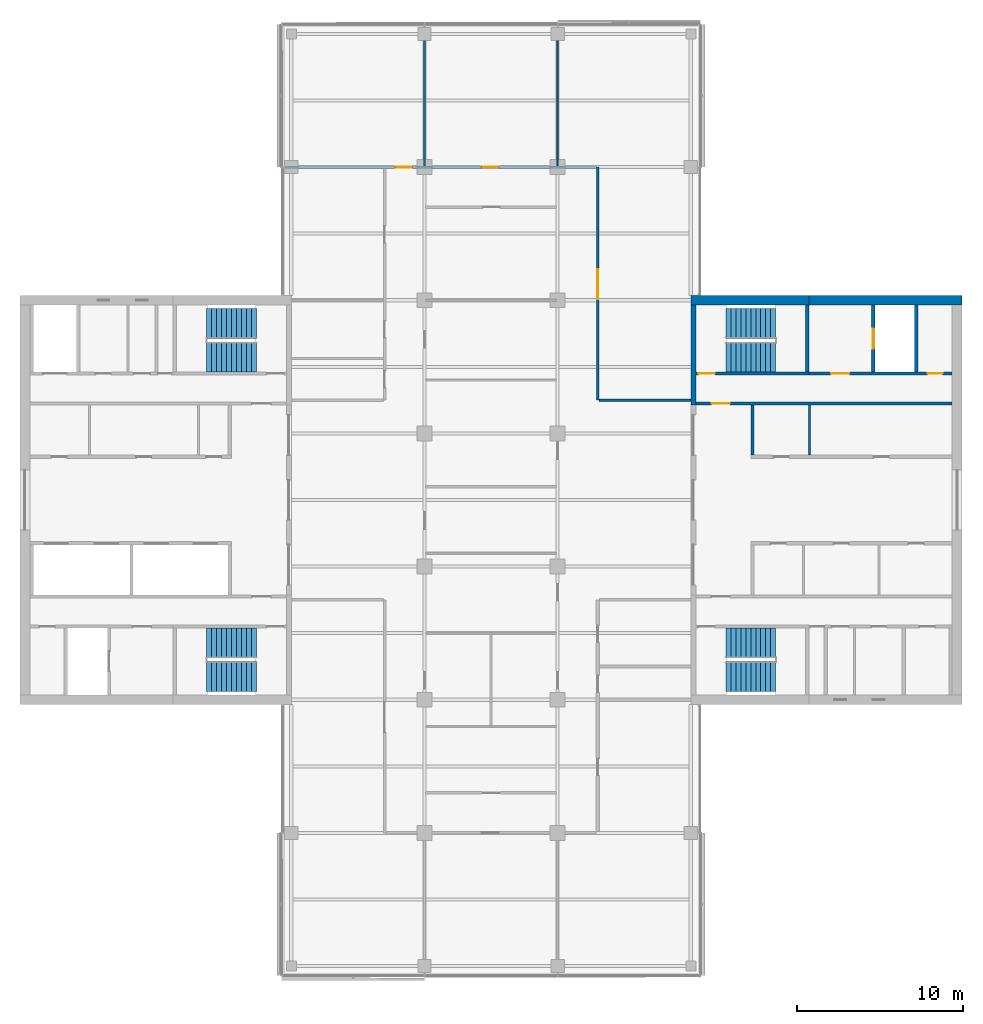
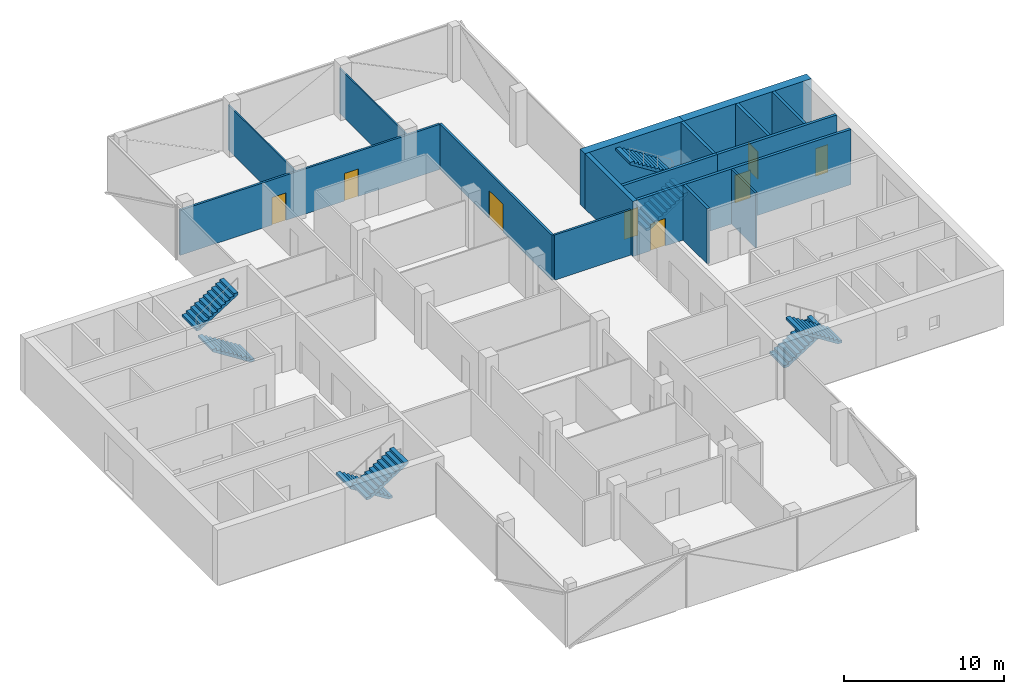
# One storey, part 12 of 15: 16 walls, 8 doors, 8 stair flights, 8 openings, 4 elements without a shape of their own.
"""IFC4 building model written with IfcOpenShell, lengths in metres."""

from ifc_helpers import new_model, si_unit, direction, frame, frame_2d, origin, place, context, subcontext, project, spatial, polyline, rectangle, outline, extrude, material, layer, layer_set, constituent, constituent_set, type_object, element, fill, aggregate, save


model = new_model("IFC4")

# Units and contexts
model_context = context("Model", 3, precision=1e-05, world=origin(), true_north=direction((0.0, 1.0)))
body_context = subcontext(model_context, "Body", "Model", "MODEL_VIEW")
ifc_project = project(units=[si_unit("LENGTHUNIT", "METRE"), si_unit("AREAUNIT", "SQUARE_METRE"), si_unit("VOLUMEUNIT", "CUBIC_METRE"), si_unit("PLANEANGLEUNIT", "RADIAN"), si_unit("MASSUNIT", "GRAM", prefix="KILO")], contexts=[model_context])

# Site, building, storey
site_placement = place(None, origin())
site = spatial("IfcSite", under=ifc_project, at=site_placement, CompositionType="ELEMENT")
building_placement = place(site_placement, origin())
building = spatial("IfcBuilding", under=site, at=building_placement, Name="Crosswind Convention Tower", CompositionType="ELEMENT")
storey_placement = place(building_placement, frame((0.0, 0.0, 183.10009765625)))
storey = spatial("IfcBuildingStorey", under=building, at=storey_placement, Name="L38", CompositionType="ELEMENT", Elevation=183.10009765625)

# Walls
ifc_material_1 = material(Name="Concrete C50/60", Category="concrete")
ifc_layer_1 = layer(ifc_material_1, 0.300048828125)
ifc_layer_set_1 = layer_set([ifc_layer_1], Name="Concrete C50/60")
wall_type_1 = type_object("IfcWallType", Name="Concrete inner core wall 300", PredefinedType="SHEAR", material=ifc_layer_set_1)
wall_1_placement = place(storey_placement, frame((137.14990234375, 105.699951171875, 0.0), z_axis=(0.0, 0.0, 1.0), x_axis=(0.0, 1.0, 0.0)))
element("IfcWall", 1, at=wall_1_placement, inside=storey, type_object=wall_type_1, Name="Wall EP E L38", PredefinedType="SHEAR", context=body_context, shape_type="SweptSolid", body=[
    extrude(rectangle(XDim=6.0, YDim=0.300048828125, at=frame_2d((3.0, 0.0))), origin(), (0.0, 0.0, 1.0), 4.199951171875),
])
ifc_layer_2 = layer(ifc_material_1, 0.199951171875)
ifc_layer_set_2 = layer_set([ifc_layer_2], Name="Concrete C50/60")
wall_type_2 = type_object("IfcWallType", Name="Concrete shaft and stair wall 200", PredefinedType="SHEAR", material=ifc_layer_set_2)
wall_2_placement = place(storey_placement, frame((140.699951171875, 102.699951171875, 0.0), z_axis=(0.0, 0.0, 1.0), x_axis=(0.0, 1.0, 0.0)))
element("IfcWall", 2, at=wall_2_placement, inside=storey, type_object=wall_type_2, Name="Wall RPEND E L38", PredefinedType="SHEAR", context=body_context, shape_type="SweptSolid", body=[
    extrude(rectangle(XDim=3.0, YDim=0.199951171875, at=frame_2d((1.5, 0.0))), origin(), (0.0, 0.0, 1.0), 4.199951171875),
])

# Wall, opening, door
wall_3_placement = place(storey_placement, frame((137.300048828125, 105.800048828125, 0.0), z_axis=(0.0, 0.0, 1.0), x_axis=(1.0, 0.0, 0.0)))
wall_3 = element("IfcWall", 3, at=wall_3_placement, inside=storey, type_object=wall_type_2, Name="Wall HP E L38", PredefinedType="SHEAR", context=body_context, shape_type="SweptSolid", body=[
    extrude(rectangle(XDim=15.39990234375, YDim=0.199951171875, at=frame_2d((7.699951171875, 0.0))), origin(), (0.0, 0.0, 1.0), 4.199951171875),
])
opening_1_placement = place(wall_3_placement, frame((0.949951171875, 0.0, 0.0)))
opening_1 = element("IfcOpeningElement", 4, at=opening_1_placement, cuts=wall_3, Name="Opening D104", PredefinedType="OPENING", context=body_context, shape_type="SweptSolid", body=[
    extrude(rectangle(XDim=1.10009765625, YDim=2.10009765625, at=frame_2d((0.550048828125, 1.050048828125))), frame((0.0, 0.10986328125, 0.0), z_axis=(0.0, -1.0, 0.0), x_axis=(1.0, 0.0, 0.0)), (0.0, 0.0, 1.0), 0.219970703125),
])
ifc_material_2 = material(Name="Steel fire door", Category="steel")
door_type_1 = type_object("IfcDoorType", Name="Fire-rated single door 1100x2100", OperationType="NOTDEFINED", PredefinedType="DOOR", material=ifc_material_2)
door_1_placement = place(opening_1_placement, origin())
door_1 = element("IfcDoor", 5, at=door_1_placement, inside=storey, type_object=door_type_1, Name="Corridor door L38", ObjectType="D104", OperationType="SINGLE_SWING_LEFT", OverallHeight=2.10009765625, OverallWidth=1.10009765625, PredefinedType="DOOR", context=body_context, shape_type="SweptSolid", body=[
    extrude(rectangle(XDim=1.10009765625, YDim=2.10009765625, at=frame_2d((0.550048828125, 1.050048828125))), frame((0.0, 0.02490234375, 0.0), z_axis=(0.0, -1.0, 0.0), x_axis=(1.0, 0.0, 0.0)), (0.0, 0.0, 1.0), 0.050048828125),
])
fill(opening_1, door_1)

# Wall
wall_4_placement = place(storey_placement, frame((144.0, 107.699951171875, 0.0), z_axis=(0.0, 0.0, 1.0), x_axis=(0.0, 1.0, 0.0)))
element("IfcWall", 6, at=wall_4_placement, inside=storey, type_object=wall_type_2, Name="Wall PSE E L38", PredefinedType="SHEAR", context=body_context, shape_type="SweptSolid", body=[
    extrude(rectangle(XDim=4.0, YDim=0.199951171875, at=frame_2d((2.0, 0.0))), origin(), (0.0, 0.0, 1.0), 4.199951171875),
])

# Wall, opening, door
wall_5_placement = place(storey_placement, frame((147.949951171875, 107.699951171875, 0.0), z_axis=(0.0, 0.0, 1.0), x_axis=(0.0, 1.0, 0.0)))
wall_5 = element("IfcWall", 7, at=wall_5_placement, inside=storey, type_object=wall_type_2, Name="Wall PFLW E L38", PredefinedType="SHEAR", context=body_context, shape_type="SweptSolid", body=[
    extrude(rectangle(XDim=4.0, YDim=0.199951171875, at=frame_2d((2.0, 0.0))), origin(), (0.0, 0.0, 1.0), 4.199951171875),
])
opening_2_placement = place(wall_5_placement, frame((1.39990234375, 0.0, 0.0)))
opening_2 = element("IfcOpeningElement", 8, at=opening_2_placement, cuts=wall_5, Name="Opening LD1", PredefinedType="OPENING", context=body_context, shape_type="SweptSolid", body=[
    extrude(rectangle(XDim=1.199951171875, YDim=2.10009765625, at=frame_2d((0.60009765625, 1.050048828125))), frame((0.0, 0.10986328125, 0.0), z_axis=(0.0, -1.0, 0.0), x_axis=(1.0, 0.0, 0.0)), (0.0, 0.0, 1.0), 0.219970703125),
])
ifc_material_3 = material(Name="Stainless steel", Category="steel")
door_type_2 = type_object("IfcDoorType", Name="Lift landing door 1200x2100", OperationType="DOUBLE_DOOR_SLIDING", PredefinedType="DOOR", material=ifc_material_3)
door_2_placement = place(opening_2_placement, origin())
door_2 = element("IfcDoor", 9, at=door_2_placement, inside=storey, type_object=door_type_2, Name="Landing door FF1 L38", ObjectType="LD1", OperationType="DOUBLE_DOOR_SLIDING", OverallHeight=2.10009765625, OverallWidth=1.199951171875, PredefinedType="DOOR", context=body_context, shape_type="SweptSolid", body=[
    extrude(rectangle(XDim=1.199951171875, YDim=2.10009765625, at=frame_2d((0.60009765625, 1.050048828125))), frame((0.0, 0.02490234375, 0.0), z_axis=(0.0, -1.0, 0.0), x_axis=(1.0, 0.0, 0.0)), (0.0, 0.0, 1.0), 0.050048828125),
])
fill(opening_2, door_2)

# Wall
wall_6_placement = place(storey_placement, frame((150.550048828125, 107.699951171875, 0.0), z_axis=(0.0, 0.0, 1.0), x_axis=(0.0, 1.0, 0.0)))
element("IfcWall", 10, at=wall_6_placement, inside=storey, type_object=wall_type_2, Name="Wall PFSE E L38", PredefinedType="SHEAR", context=body_context, shape_type="SweptSolid", body=[
    extrude(rectangle(XDim=4.0, YDim=0.199951171875, at=frame_2d((2.0, 0.0))), origin(), (0.0, 0.0, 1.0), 4.199951171875),
])

# Wall, opening, door
wall_7_placement = place(storey_placement, frame((137.300048828125, 107.60009765625, 0.0), z_axis=(0.0, 0.0, 1.0), x_axis=(1.0, 0.0, 0.0)))
wall_7 = element("IfcWall", 11, at=wall_7_placement, inside=storey, type_object=wall_type_2, Name="Wall PCW E L38", PredefinedType="SHEAR", context=body_context, shape_type="SweptSolid", body=[
    extrude(rectangle(XDim=6.800048828125, YDim=0.199951171875, at=frame_2d((3.39990234375, 0.0))), origin(), (0.0, 0.0, 1.0), 4.199951171875),
])
opening_3_placement = place(wall_7_placement, frame((0.14990234375, 0.0, 0.0)))
opening_3 = element("IfcOpeningElement", 12, at=opening_3_placement, cuts=wall_7, Name="Opening D103", PredefinedType="OPENING", context=body_context, shape_type="SweptSolid", body=[
    extrude(rectangle(XDim=1.0, YDim=2.10009765625, at=frame_2d((0.5, 1.050048828125))), frame((0.0, 0.10986328125, 0.0), z_axis=(0.0, -1.0, 0.0), x_axis=(1.0, 0.0, 0.0)), (0.0, 0.0, 1.0), 0.219970703125),
])
door_type_3 = type_object("IfcDoorType", Name="Fire-rated single door 1000x2100", OperationType="NOTDEFINED", PredefinedType="DOOR", material=ifc_material_2)
door_3_placement = place(opening_3_placement, origin())
door_3 = element("IfcDoor", 13, at=door_3_placement, inside=storey, type_object=door_type_3, Name="Stair ST1 door L38", ObjectType="D103", OperationType="SINGLE_SWING_LEFT", OverallHeight=2.10009765625, OverallWidth=1.0, PredefinedType="DOOR", context=body_context, shape_type="SweptSolid", body=[
    extrude(rectangle(XDim=1.0, YDim=2.10009765625, at=frame_2d((0.5, 1.050048828125))), frame((0.0, 0.02490234375, 0.0), z_axis=(0.0, -1.0, 0.0), x_axis=(1.0, 0.0, 0.0)), (0.0, 0.0, 1.0), 0.050048828125),
])
fill(opening_3, door_3)

# Wall, openings, doors
wall_8_placement = place(storey_placement, frame((144.10009765625, 107.60009765625, 0.0), z_axis=(0.0, 0.0, 1.0), x_axis=(1.0, 0.0, 0.0)))
wall_8 = element("IfcWall", 14, at=wall_8_placement, inside=storey, type_object=wall_type_2, Name="Wall PCX E L38", PredefinedType="SHEAR", context=body_context, shape_type="SweptSolid", body=[
    extrude(rectangle(XDim=8.599853515625, YDim=0.199951171875, at=frame_2d((4.2998046875, 0.0))), origin(), (0.0, 0.0, 1.0), 4.199951171875),
])
opening_4_placement = place(wall_8_placement, frame((1.324951171875, 0.0, 0.0)))
opening_4 = element("IfcOpeningElement", 15, at=opening_4_placement, cuts=wall_8, Name="Opening D104", PredefinedType="OPENING", context=body_context, shape_type="SweptSolid", body=[
    extrude(rectangle(XDim=1.10009765625, YDim=2.10009765625, at=frame_2d((0.550048828125, 1.050048828125))), frame((0.0, 0.10986328125, 0.0), z_axis=(0.0, -1.0, 0.0), x_axis=(1.0, 0.0, 0.0)), (0.0, 0.0, 1.0), 0.219970703125),
])
opening_5_placement = place(wall_8_placement, frame((7.125, 0.0, 0.0)))
opening_5 = element("IfcOpeningElement", 16, at=opening_5_placement, cuts=wall_8, Name="Opening D106", PredefinedType="OPENING", context=body_context, shape_type="SweptSolid", body=[
    extrude(rectangle(XDim=0.89990234375, YDim=2.10009765625, at=frame_2d((0.449951171875, 1.050048828125))), frame((0.0, 0.10986328125, 0.0), z_axis=(0.0, -1.0, 0.0), x_axis=(1.0, 0.0, 0.0)), (0.0, 0.0, 1.0), 0.219970703125),
])
door_4_placement = place(opening_4_placement, origin())
door_4 = element("IfcDoor", 17, at=door_4_placement, inside=storey, type_object=door_type_1, Name="Fire-fighting lobby FF1 door L38", ObjectType="D104", OperationType="SINGLE_SWING_RIGHT", OverallHeight=2.10009765625, OverallWidth=1.10009765625, PredefinedType="DOOR", context=body_context, shape_type="SweptSolid", body=[
    extrude(rectangle(XDim=1.10009765625, YDim=2.10009765625, at=frame_2d((0.550048828125, 1.050048828125))), frame((0.0, 0.02490234375, 0.0), z_axis=(0.0, -1.0, 0.0), x_axis=(1.0, 0.0, 0.0)), (0.0, 0.0, 1.0), 0.050048828125),
])
fill(opening_4, door_4)
ifc_material_4 = material(Name="Timber door", Category="wood")
door_type_4 = type_object("IfcDoorType", Name="Single leaf door 900x2100", OperationType="NOTDEFINED", PredefinedType="DOOR", material=ifc_material_4)
door_5_placement = place(opening_5_placement, origin())
door_5 = element("IfcDoor", 18, at=door_5_placement, inside=storey, type_object=door_type_4, Name="Door to comms room L38", ObjectType="D106", OperationType="SINGLE_SWING_RIGHT", OverallHeight=2.10009765625, OverallWidth=0.89990234375, PredefinedType="DOOR", context=body_context, shape_type="SweptSolid", body=[
    extrude(rectangle(XDim=0.89990234375, YDim=2.10009765625, at=frame_2d((0.449951171875, 1.050048828125))), frame((0.0, 0.02490234375, 0.0), z_axis=(0.0, -1.0, 0.0), x_axis=(1.0, 0.0, 0.0)), (0.0, 0.0, 1.0), 0.050048828125),
])
fill(opening_5, door_5)

# Walls
ifc_material_5 = material(Name="Gypsum plasterboard partition", Category="gypsum")
ifc_layer_3 = layer(ifc_material_5, 0.125)
ifc_layer_set_3 = layer_set([ifc_layer_3], Name="Drywall partition wall 125")
wall_type_3 = type_object("IfcWallType", Name="Drywall partition wall 125", PredefinedType="PARTITIONING", material=ifc_layer_set_3)
wall_9_placement = place(storey_placement, frame((144.132080078125, 102.699951171875, 0.0), z_axis=(0.0, 0.0, 1.0), x_axis=(0.0, 1.0, 0.0)))
element("IfcWall", 19, at=wall_9_placement, inside=storey, type_object=wall_type_3, Name="Wall RPP1 E L38", PredefinedType="PARTITIONING", context=body_context, shape_type="SweptSolid", body=[
    extrude(rectangle(XDim=3.0, YDim=0.125, at=frame_2d((1.5, 0.0))), origin(), (0.0, 0.0, 1.0), 4.199951171875),
])
ifc_material_6 = material(Name="Plasterboard partition", Category="gypsum")
ifc_layer_4 = layer(ifc_material_6, 0.10009765625)
ifc_layer_set_4 = layer_set([ifc_layer_4], Name="PARTITION 100 METAL STUD")
wall_type_4 = type_object("IfcWallType", Name="PARTITION 100 METAL STUD", PredefinedType="PARTITIONING", material=ifc_layer_set_4)
for number, where, z_axis, x_axis, name in (
    (20, (121.0, 120.074951171875, 0.0), (0.0, 0.0, 1.0), (0.0, 1.0, 0.0), "Partition wall WT40"),
    (21, (129.0, 120.074951171875, 0.0), (0.0, 0.0, 1.0), (0.0, 1.0, 0.0), "Partition wall WT40"),
):
    element("IfcWall", number, at=place(storey_placement, frame(where, z_axis=z_axis, x_axis=x_axis)), inside=storey, type_object=wall_type_4, Name=name, PredefinedType="PARTITIONING", context=body_context, shape_type="SweptSolid", body=[
        extrude(rectangle(XDim=8.295166015625, YDim=0.10009765625, at=frame_2d((4.1474609375, 0.0))), origin(), (0.0, 0.0, 1.0), 3.439697265625),
    ])

# Wall, opening, door
ifc_material_7 = material(Name="Fire-board partition with mineral wool", Category="gypsum")
ifc_layer_5 = layer(ifc_material_7, 0.14990234375)
ifc_layer_set_5 = layer_set([ifc_layer_5], Name="TENANCY WALL 150 TWO-HOUR BOARD")
wall_type_5 = type_object("IfcWallType", Name="TENANCY WALL 150 TWO-HOUR BOARD", PredefinedType="PARTITIONING", material=ifc_layer_set_5)
wall_10_placement = place(storey_placement, frame((131.39990234375, 106.0, 0.0), z_axis=(0.0, 0.0, 1.0), x_axis=(0.0, 1.0, 0.0)))
wall_10 = element("IfcWall", 22, at=wall_10_placement, inside=storey, type_object=wall_type_5, Name="Tenancy wall WT41", PredefinedType="PARTITIONING", context=body_context, shape_type="SweptSolid", body=[
    extrude(rectangle(XDim=14.0, YDim=0.14990234375, at=frame_2d((7.0, 0.0))), origin(), (0.0, 0.0, 1.0), 3.439697265625),
])
opening_6_placement = place(wall_10_placement, frame((6.050048828125, 0.0, 0.0)))
opening_6 = element("IfcOpeningElement", 23, at=opening_6_placement, cuts=wall_10, Name="Opening L38-50", PredefinedType="OPENING", context=body_context, shape_type="SweptSolid", body=[
    extrude(rectangle(XDim=1.800048828125, YDim=2.10009765625, at=frame_2d((0.89990234375, 1.050048828125))), frame((0.0, 0.0849609375, 0.0), z_axis=(0.0, -1.0, 0.0), x_axis=(1.0, 0.0, 0.0)), (0.0, 0.0, 1.0), 0.169921875),
])
ifc_material_8 = material(Name="Timber fire door", Category="wood")
door_type_5 = type_object("IfcDoorType", Name="TENANCY ENTRANCE DOUBLE DOOR 1800X2100 FD30S", OperationType="DOUBLE_DOOR_SINGLE_SWING", PredefinedType="DOOR", material=ifc_material_8)
door_6_placement = place(opening_6_placement, frame((1.800048828125, 0.0, 0.0), z_axis=(0.0, 0.0, 1.0), x_axis=(-1.0, 0.0, 0.0)))
door_6 = element("IfcDoor", 24, at=door_6_placement, inside=storey, type_object=door_type_5, Name="Door L38-50", ObjectType="D42", OperationType="DOUBLE_DOOR_SINGLE_SWING", OverallHeight=2.10009765625, OverallWidth=1.800048828125, PredefinedType="DOOR", context=body_context, shape_type="SweptSolid", body=[
    extrude(rectangle(XDim=1.800048828125, YDim=2.10009765625, at=frame_2d((0.89990234375, 1.050048828125))), frame((0.0, 0.02490234375, 0.0), z_axis=(0.0, -1.0, 0.0), x_axis=(1.0, 0.0, 0.0)), (0.0, 0.0, 1.0), 0.050048828125),
])
fill(opening_6, door_6)

# Wall
wall_11_placement = place(storey_placement, frame((131.47509765625, 106.0, 0.0), z_axis=(0.0, 0.0, 1.0), x_axis=(1.0, 0.0, 0.0)))
element("IfcWall", 25, at=wall_11_placement, inside=storey, type_object=wall_type_5, Name="Tenancy wall WT41", PredefinedType="PARTITIONING", context=body_context, shape_type="SweptSolid", body=[
    extrude(rectangle(XDim=5.52490234375, YDim=0.14990234375, at=frame_2d((2.762451171875, 0.0))), origin(), (0.0, 0.0, 1.0), 3.439697265625),
])

# Wall, openings, doors
wall_12_placement = place(storey_placement, frame((112.6298828125, 120.0, 0.0), z_axis=(0.0, 0.0, 1.0), x_axis=(1.0, 0.0, 0.0)))
wall_12 = element("IfcWall", 26, at=wall_12_placement, inside=storey, type_object=wall_type_5, Name="Tenancy wall WT41", PredefinedType="PARTITIONING", context=body_context, shape_type="SweptSolid", body=[
    extrude(rectangle(XDim=18.695068359375, YDim=0.14990234375, at=frame_2d((9.34765625, 0.0))), origin(), (0.0, 0.0, 1.0), 3.439697265625),
])
opening_7_placement = place(wall_12_placement, frame((6.6201171875, 0.0, 0.0)))
opening_7 = element("IfcOpeningElement", 27, at=opening_7_placement, cuts=wall_12, Name="Opening L38-58", PredefinedType="OPENING", context=body_context, shape_type="SweptSolid", body=[
    extrude(rectangle(XDim=1.0, YDim=2.10009765625, at=frame_2d((0.5, 1.050048828125))), frame((0.0, 0.0849609375, 0.0), z_axis=(0.0, -1.0, 0.0), x_axis=(1.0, 0.0, 0.0)), (0.0, 0.0, 1.0), 0.169921875),
])
opening_8_placement = place(wall_12_placement, frame((11.820068359375, 0.0, 0.0)))
opening_8 = element("IfcOpeningElement", 28, at=opening_8_placement, cuts=wall_12, Name="Opening L38-59", PredefinedType="OPENING", context=body_context, shape_type="SweptSolid", body=[
    extrude(rectangle(XDim=1.0, YDim=2.10009765625, at=frame_2d((0.5, 1.050048828125))), frame((0.0, 0.0849609375, 0.0), z_axis=(0.0, -1.0, 0.0), x_axis=(1.0, 0.0, 0.0)), (0.0, 0.0, 1.0), 0.169921875),
])
door_type_6 = type_object("IfcDoorType", Name="TENANCY ENTRANCE DOOR 1000X2100 FD30S", OperationType="NOTDEFINED", PredefinedType="DOOR", material=ifc_material_8)
door_7_placement = place(opening_7_placement, origin())
door_7 = element("IfcDoor", 29, at=door_7_placement, inside=storey, type_object=door_type_6, Name="Door L38-58", ObjectType="D41", OperationType="SINGLE_SWING_RIGHT", OverallHeight=2.10009765625, OverallWidth=1.0, PredefinedType="DOOR", context=body_context, shape_type="SweptSolid", body=[
    extrude(rectangle(XDim=1.0, YDim=2.10009765625, at=frame_2d((0.5, 1.050048828125))), frame((0.0, 0.02490234375, 0.0), z_axis=(0.0, -1.0, 0.0), x_axis=(1.0, 0.0, 0.0)), (0.0, 0.0, 1.0), 0.050048828125),
])
fill(opening_7, door_7)
door_8_placement = place(opening_8_placement, frame((1.0, 0.0, 0.0), z_axis=(0.0, 0.0, 1.0), x_axis=(-1.0, 0.0, 0.0)))
door_8 = element("IfcDoor", 30, at=door_8_placement, inside=storey, type_object=door_type_6, Name="Door L38-59", ObjectType="D41", OperationType="SINGLE_SWING_RIGHT", OverallHeight=2.10009765625, OverallWidth=1.0, PredefinedType="DOOR", context=body_context, shape_type="SweptSolid", body=[
    extrude(rectangle(XDim=1.0, YDim=2.10009765625, at=frame_2d((0.5, 1.050048828125))), frame((0.0, 0.02490234375, 0.0), z_axis=(0.0, -1.0, 0.0), x_axis=(1.0, 0.0, 0.0)), (0.0, 0.0, 1.0), 0.050048828125),
])
fill(opening_8, door_8)

# Walls
ifc_material_9 = material(Name="Concrete C60/75", Category="concrete")
ifc_constituent_1 = constituent(ifc_material_9, Name="Structure")
ifc_material_10 = material(Name="Terracotta rainscreen", Category="ceramic")
ifc_constituent_2 = constituent(ifc_material_10, Name="Facing")
ifc_constituent_set = constituent_set(constituents=[ifc_constituent_1, ifc_constituent_2], Name="Concrete C60/75, Terracotta rainscreen")
wall_type_6 = type_object("IfcWallType", Name="Terracotta rainscreen on concrete core wall 600", PredefinedType="SHEAR", material=ifc_constituent_set)
wall_13_placement = place(storey_placement, frame((137.0, 112.0, 0.0), z_axis=(0.0, 0.0, 1.0), x_axis=(1.0, 0.0, 0.0)))
element("IfcWall", 31, at=wall_13_placement, inside=storey, type_object=wall_type_6, Name="Wall N1 E L38", PredefinedType="SHEAR", context=body_context, shape_type="SweptSolid", body=[
    extrude(rectangle(XDim=7.10009765625, YDim=0.60009765625, at=frame_2d((3.550048828125, 0.0))), origin(), (0.0, 0.0, 1.0), 4.199951171875),
])
wall_14_placement = place(storey_placement, frame((144.10009765625, 112.0, 0.0), z_axis=(0.0, 0.0, 1.0), x_axis=(1.0, 0.0, 0.0)))
element("IfcWall", 32, at=wall_14_placement, inside=storey, type_object=wall_type_6, Name="Wall N2 E L38", PredefinedType="SHEAR", context=body_context, shape_type="SweptSolid", body=[
    extrude(rectangle(XDim=9.199951171875, YDim=0.60009765625, at=frame_2d((4.60009765625, 0.0))), origin(), (0.0, 0.0, 1.0), 4.199951171875),
])

# Stair, stair flights
ifc_material_11 = material(Name="Concrete C40/50", Category="concrete")
stair_type = type_object("IfcStairType", Name="Exit stair 1800 wide, 2 flights of 11 risers", PredefinedType="HALF_TURN_STAIR", material=ifc_material_11)
stair_1_placement = place(storey_placement, origin())
stair_1 = element("IfcStair", 33, at=stair_1_placement, inside=storey, type_object=stair_type, Name="Exit stair ST1 L38", ObjectType="ST5", PredefinedType="HALF_TURN_STAIR")
stair_flight_type = type_object("IfcStairFlightType", Name="Stair flight 1800 wide, 11 risers (SF4)", PredefinedType="STRAIGHT", material=ifc_material_11)
stair_flight_1_placement = place(storey_placement, frame((139.10009765625, 108.60009765625, 0.0), z_axis=(0.0, 0.0, 1.0), x_axis=(1.0, 0.0, 0.0)))
stair_flight_1 = element("IfcStairFlight", 34, at=stair_flight_1_placement, type_object=stair_flight_type, Name="ST1 flight 1", NumberOfRisers=11, NumberOfTreads=10, PredefinedType="STRAIGHT", RiserHeight=0.190909091, TreadLength=0.3, context=body_context, shape_type="SweptSolid", body=[
    extrude(outline(polyline([(0.0, 0.0), (0.0, 0.19091796875), (0.300048828125, 0.19091796875), (0.300048828125, 0.3818359375), (0.60009765625, 0.3818359375), (0.60009765625, 0.57275390625), (0.89990234375, 0.57275390625), (0.89990234375, 0.763671875), (1.199951171875, 0.763671875), (1.199951171875, 0.95458984375), (1.5, 0.95458984375), (1.5, 1.1455078125), (1.800048828125, 1.1455078125), (1.800048828125, 1.33642578125), (2.10009765625, 1.33642578125), (2.10009765625, 1.52734375), (2.39990234375, 1.52734375), (2.39990234375, 1.71826171875), (2.699951171875, 1.71826171875), (2.699951171875, 1.9091796875), (3.0, 1.9091796875), (3.0, 2.10009765625), (3.0, 1.7314453125), (0.279296875, 0.0), (0.0, 0.0)])), frame((0.0, 0.89990234375, 0.0), z_axis=(0.0, -1.0, 0.0), x_axis=(1.0, 0.0, 0.0)), (0.0, 0.0, 1.0), 1.800048828125),
])
stair_flight_2_placement = place(storey_placement, frame((142.10009765625, 110.60009765625, 2.099853515625), z_axis=(0.0, 0.0, 1.0), x_axis=(-1.0, 0.0, 0.0)))
stair_flight_2 = element("IfcStairFlight", 35, at=stair_flight_2_placement, type_object=stair_flight_type, Name="ST1 flight 2", NumberOfRisers=11, NumberOfTreads=10, PredefinedType="STRAIGHT", RiserHeight=0.190909091, TreadLength=0.3, context=body_context, shape_type="SweptSolid", body=[
    extrude(outline(polyline([(0.0, 0.0), (0.0, 0.19091796875), (0.300048828125, 0.19091796875), (0.300048828125, 0.3818359375), (0.60009765625, 0.3818359375), (0.60009765625, 0.57275390625), (0.89990234375, 0.57275390625), (0.89990234375, 0.763671875), (1.199951171875, 0.763671875), (1.199951171875, 0.95458984375), (1.5, 0.95458984375), (1.5, 1.1455078125), (1.800048828125, 1.1455078125), (1.800048828125, 1.33642578125), (2.10009765625, 1.33642578125), (2.10009765625, 1.52734375), (2.39990234375, 1.52734375), (2.39990234375, 1.71826171875), (2.699951171875, 1.71826171875), (2.699951171875, 1.9091796875), (3.0, 1.9091796875), (3.0, 2.10009765625), (3.0, 1.7314453125), (0.279296875, 0.0), (0.0, 0.0)])), frame((0.0, 0.89990234375, 0.0), z_axis=(0.0, -1.0, 0.0), x_axis=(1.0, 0.0, 0.0)), (0.0, 0.0, 1.0), 1.800048828125),
])
aggregate(stair_1, [stair_flight_1, stair_flight_2])

stair_2_placement = place(storey_placement, origin())
stair_2 = element("IfcStair", 36, at=stair_2_placement, inside=storey, type_object=stair_type, Name="Exit stair ST2 L38", ObjectType="ST5", PredefinedType="HALF_TURN_STAIR")
stair_flight_3_placement = place(storey_placement, frame((139.10009765625, 91.39990234375, 0.0), z_axis=(0.0, 0.0, 1.0), x_axis=(1.0, 0.0, 0.0)))
stair_flight_3 = element("IfcStairFlight", 37, at=stair_flight_3_placement, type_object=stair_flight_type, Name="ST2 flight 1", NumberOfRisers=11, NumberOfTreads=10, PredefinedType="STRAIGHT", RiserHeight=0.190909091, TreadLength=0.3, context=body_context, shape_type="SweptSolid", body=[
    extrude(outline(polyline([(0.0, 0.0), (0.0, 0.19091796875), (0.300048828125, 0.19091796875), (0.300048828125, 0.3818359375), (0.60009765625, 0.3818359375), (0.60009765625, 0.57275390625), (0.89990234375, 0.57275390625), (0.89990234375, 0.763671875), (1.199951171875, 0.763671875), (1.199951171875, 0.95458984375), (1.5, 0.95458984375), (1.5, 1.1455078125), (1.800048828125, 1.1455078125), (1.800048828125, 1.33642578125), (2.10009765625, 1.33642578125), (2.10009765625, 1.52734375), (2.39990234375, 1.52734375), (2.39990234375, 1.71826171875), (2.699951171875, 1.71826171875), (2.699951171875, 1.9091796875), (3.0, 1.9091796875), (3.0, 2.10009765625), (3.0, 1.7314453125), (0.279296875, 0.0), (0.0, 0.0)])), frame((0.0, 0.89990234375, 0.0), z_axis=(0.0, -1.0, 0.0), x_axis=(1.0, 0.0, 0.0)), (0.0, 0.0, 1.0), 1.800048828125),
])
stair_flight_4_placement = place(storey_placement, frame((142.10009765625, 89.39990234375, 2.099853515625), z_axis=(0.0, 0.0, 1.0), x_axis=(-1.0, 0.0, 0.0)))
stair_flight_4 = element("IfcStairFlight", 38, at=stair_flight_4_placement, type_object=stair_flight_type, Name="ST2 flight 2", NumberOfRisers=11, NumberOfTreads=10, PredefinedType="STRAIGHT", RiserHeight=0.190909091, TreadLength=0.3, context=body_context, shape_type="SweptSolid", body=[
    extrude(outline(polyline([(0.0, 0.0), (0.0, 0.19091796875), (0.300048828125, 0.19091796875), (0.300048828125, 0.3818359375), (0.60009765625, 0.3818359375), (0.60009765625, 0.57275390625), (0.89990234375, 0.57275390625), (0.89990234375, 0.763671875), (1.199951171875, 0.763671875), (1.199951171875, 0.95458984375), (1.5, 0.95458984375), (1.5, 1.1455078125), (1.800048828125, 1.1455078125), (1.800048828125, 1.33642578125), (2.10009765625, 1.33642578125), (2.10009765625, 1.52734375), (2.39990234375, 1.52734375), (2.39990234375, 1.71826171875), (2.699951171875, 1.71826171875), (2.699951171875, 1.9091796875), (3.0, 1.9091796875), (3.0, 2.10009765625), (3.0, 1.7314453125), (0.279296875, 0.0), (0.0, 0.0)])), frame((0.0, 0.89990234375, 0.0), z_axis=(0.0, -1.0, 0.0), x_axis=(1.0, 0.0, 0.0)), (0.0, 0.0, 1.0), 1.800048828125),
])
aggregate(stair_2, [stair_flight_3, stair_flight_4])

stair_3_placement = place(storey_placement, origin())
stair_3 = element("IfcStair", 39, at=stair_3_placement, inside=storey, type_object=stair_type, Name="Exit stair ST3 L38", ObjectType="ST5", PredefinedType="HALF_TURN_STAIR")
stair_flight_5_placement = place(storey_placement, frame((110.89990234375, 91.39990234375, 0.0), z_axis=(0.0, 0.0, 1.0), x_axis=(-1.0, 0.0, 0.0)))
stair_flight_5 = element("IfcStairFlight", 40, at=stair_flight_5_placement, type_object=stair_flight_type, Name="ST3 flight 1", NumberOfRisers=11, NumberOfTreads=10, PredefinedType="STRAIGHT", RiserHeight=0.190909091, TreadLength=0.3, context=body_context, shape_type="SweptSolid", body=[
    extrude(outline(polyline([(0.0, 0.0), (0.0, 0.19091796875), (0.300048828125, 0.19091796875), (0.300048828125, 0.3818359375), (0.60009765625, 0.3818359375), (0.60009765625, 0.57275390625), (0.89990234375, 0.57275390625), (0.89990234375, 0.763671875), (1.199951171875, 0.763671875), (1.199951171875, 0.95458984375), (1.5, 0.95458984375), (1.5, 1.1455078125), (1.800048828125, 1.1455078125), (1.800048828125, 1.33642578125), (2.10009765625, 1.33642578125), (2.10009765625, 1.52734375), (2.39990234375, 1.52734375), (2.39990234375, 1.71826171875), (2.699951171875, 1.71826171875), (2.699951171875, 1.9091796875), (3.0, 1.9091796875), (3.0, 2.10009765625), (3.0, 1.7314453125), (0.279296875, 0.0), (0.0, 0.0)])), frame((0.0, 0.89990234375, 0.0), z_axis=(0.0, -1.0, 0.0), x_axis=(1.0, 0.0, 0.0)), (0.0, 0.0, 1.0), 1.800048828125),
])
stair_flight_6_placement = place(storey_placement, frame((107.89990234375, 89.39990234375, 2.099853515625), z_axis=(0.0, 0.0, 1.0), x_axis=(1.0, 0.0, 0.0)))
stair_flight_6 = element("IfcStairFlight", 41, at=stair_flight_6_placement, type_object=stair_flight_type, Name="ST3 flight 2", NumberOfRisers=11, NumberOfTreads=10, PredefinedType="STRAIGHT", RiserHeight=0.190909091, TreadLength=0.3, context=body_context, shape_type="SweptSolid", body=[
    extrude(outline(polyline([(0.0, 0.0), (0.0, 0.19091796875), (0.300048828125, 0.19091796875), (0.300048828125, 0.3818359375), (0.60009765625, 0.3818359375), (0.60009765625, 0.57275390625), (0.89990234375, 0.57275390625), (0.89990234375, 0.763671875), (1.199951171875, 0.763671875), (1.199951171875, 0.95458984375), (1.5, 0.95458984375), (1.5, 1.1455078125), (1.800048828125, 1.1455078125), (1.800048828125, 1.33642578125), (2.10009765625, 1.33642578125), (2.10009765625, 1.52734375), (2.39990234375, 1.52734375), (2.39990234375, 1.71826171875), (2.699951171875, 1.71826171875), (2.699951171875, 1.9091796875), (3.0, 1.9091796875), (3.0, 2.10009765625), (3.0, 1.7314453125), (0.279296875, 0.0), (0.0, 0.0)])), frame((0.0, 0.89990234375, 0.0), z_axis=(0.0, -1.0, 0.0), x_axis=(1.0, 0.0, 0.0)), (0.0, 0.0, 1.0), 1.800048828125),
])
aggregate(stair_3, [stair_flight_5, stair_flight_6])

stair_4_placement = place(storey_placement, origin())
stair_4 = element("IfcStair", 42, at=stair_4_placement, inside=storey, type_object=stair_type, Name="Exit stair ST4 L38", ObjectType="ST5", PredefinedType="HALF_TURN_STAIR")
stair_flight_7_placement = place(storey_placement, frame((110.89990234375, 108.60009765625, 0.0), z_axis=(0.0, 0.0, 1.0), x_axis=(-1.0, 0.0, 0.0)))
stair_flight_7 = element("IfcStairFlight", 43, at=stair_flight_7_placement, type_object=stair_flight_type, Name="ST4 flight 1", NumberOfRisers=11, NumberOfTreads=10, PredefinedType="STRAIGHT", RiserHeight=0.190909091, TreadLength=0.3, context=body_context, shape_type="SweptSolid", body=[
    extrude(outline(polyline([(0.0, 0.0), (0.0, 0.19091796875), (0.300048828125, 0.19091796875), (0.300048828125, 0.3818359375), (0.60009765625, 0.3818359375), (0.60009765625, 0.57275390625), (0.89990234375, 0.57275390625), (0.89990234375, 0.763671875), (1.199951171875, 0.763671875), (1.199951171875, 0.95458984375), (1.5, 0.95458984375), (1.5, 1.1455078125), (1.800048828125, 1.1455078125), (1.800048828125, 1.33642578125), (2.10009765625, 1.33642578125), (2.10009765625, 1.52734375), (2.39990234375, 1.52734375), (2.39990234375, 1.71826171875), (2.699951171875, 1.71826171875), (2.699951171875, 1.9091796875), (3.0, 1.9091796875), (3.0, 2.10009765625), (3.0, 1.7314453125), (0.279296875, 0.0), (0.0, 0.0)])), frame((0.0, 0.89990234375, 0.0), z_axis=(0.0, -1.0, 0.0), x_axis=(1.0, 0.0, 0.0)), (0.0, 0.0, 1.0), 1.800048828125),
])
stair_flight_8_placement = place(storey_placement, frame((107.89990234375, 110.60009765625, 2.099853515625), z_axis=(0.0, 0.0, 1.0), x_axis=(1.0, 0.0, 0.0)))
stair_flight_8 = element("IfcStairFlight", 44, at=stair_flight_8_placement, type_object=stair_flight_type, Name="ST4 flight 2", NumberOfRisers=11, NumberOfTreads=10, PredefinedType="STRAIGHT", RiserHeight=0.190909091, TreadLength=0.3, context=body_context, shape_type="SweptSolid", body=[
    extrude(outline(polyline([(0.0, 0.0), (0.0, 0.19091796875), (0.300048828125, 0.19091796875), (0.300048828125, 0.3818359375), (0.60009765625, 0.3818359375), (0.60009765625, 0.57275390625), (0.89990234375, 0.57275390625), (0.89990234375, 0.763671875), (1.199951171875, 0.763671875), (1.199951171875, 0.95458984375), (1.5, 0.95458984375), (1.5, 1.1455078125), (1.800048828125, 1.1455078125), (1.800048828125, 1.33642578125), (2.10009765625, 1.33642578125), (2.10009765625, 1.52734375), (2.39990234375, 1.52734375), (2.39990234375, 1.71826171875), (2.699951171875, 1.71826171875), (2.699951171875, 1.9091796875), (3.0, 1.9091796875), (3.0, 2.10009765625), (3.0, 1.7314453125), (0.279296875, 0.0), (0.0, 0.0)])), frame((0.0, 0.89990234375, 0.0), z_axis=(0.0, -1.0, 0.0), x_axis=(1.0, 0.0, 0.0)), (0.0, 0.0, 1.0), 1.800048828125),
])
aggregate(stair_4, [stair_flight_7, stair_flight_8])

save(model, "model.ifc")
